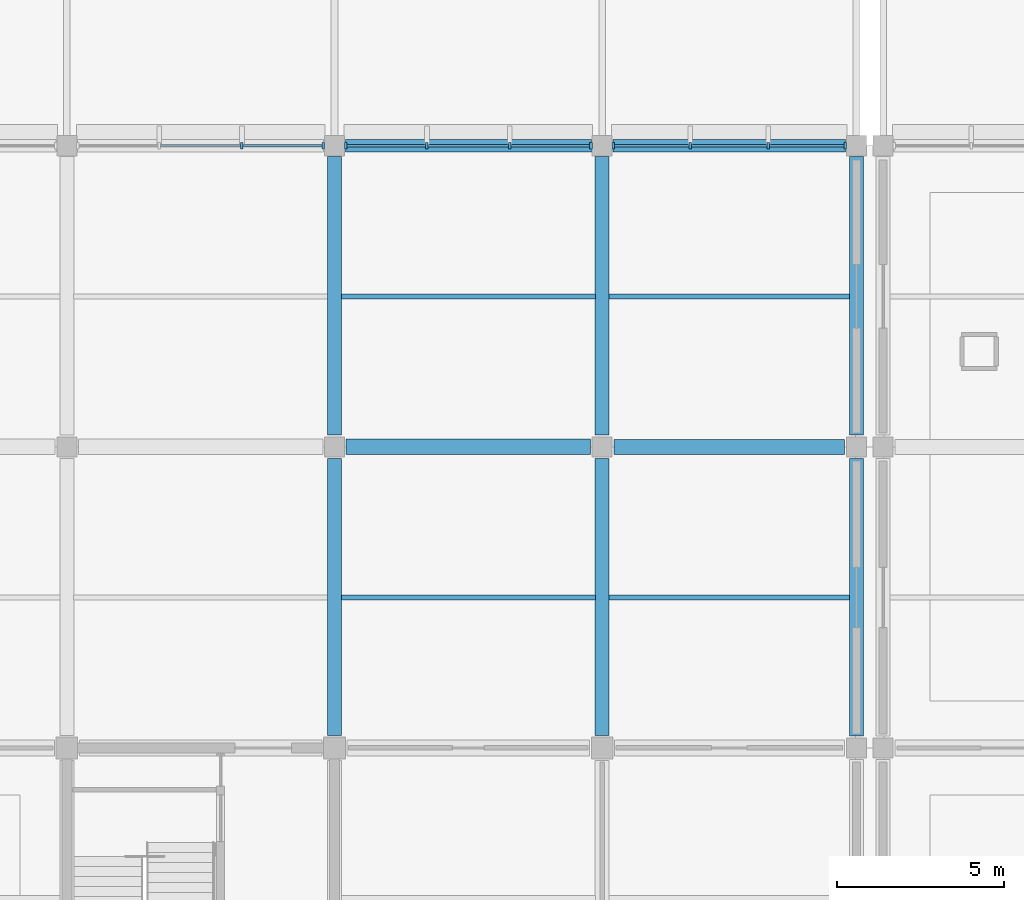
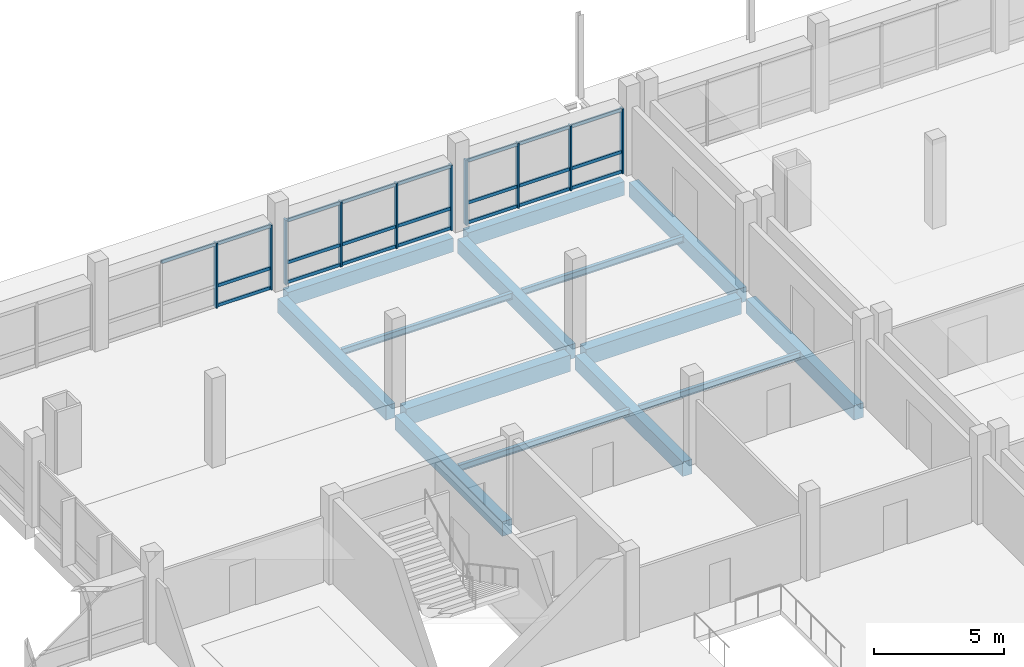
# One storey, part 16 of 57: 32 members, 14 beams, 3 elements without a shape of their own.
"""IFC4 building model written with IfcOpenShell, lengths in metres."""

from ifc_helpers import new_model, si_unit, direction, frame, origin, origin_2d, place, context, subcontext, project, spatial, rectangle, i_section, extrude, material, material_profile, profile_set, type_object, element, aggregate, save


model = new_model("IFC4")

# Units and contexts
model_context = context("Model", 3, precision=1e-05, world=origin(), true_north=direction((0.0, 1.0)))
body_context = subcontext(model_context, "Body", "Model", "MODEL_VIEW")
ifc_project = project(units=[si_unit("LENGTHUNIT", "METRE"), si_unit("AREAUNIT", "SQUARE_METRE"), si_unit("VOLUMEUNIT", "CUBIC_METRE"), si_unit("PLANEANGLEUNIT", "RADIAN"), si_unit("MASSUNIT", "GRAM", prefix="KILO"), si_unit("THERMODYNAMICTEMPERATUREUNIT", "KELVIN"), si_unit("POWERUNIT", "WATT")], contexts=[model_context])

# Site, building, storey
site_placement = place(None, origin())
site = spatial("IfcSite", under=ifc_project, at=site_placement, CompositionType="ELEMENT")
building_placement = place(site_placement, origin())
building = spatial("IfcBuilding", under=site, at=building_placement, Name="Kronsvod Quay Wholesale Market", CompositionType="ELEMENT")
storey_placement = place(building_placement, frame((0.0, 0.0, 4.800048828125)))
storey = spatial("IfcBuildingStorey", under=building, at=storey_placement, Name="L01", CompositionType="ELEMENT", Elevation=4.800048828125)

# Beams
ifc_material_1 = material(Name="Precast concrete C40/50", Category="concrete")
ifc_material_profile_1 = material_profile(ifc_material_1, rectangle(XDim=0.419921875, YDim=0.679931640625, at=origin_2d()), Name="PB-05")
ifc_profile_set_1 = profile_set([ifc_material_profile_1], Name="Precast concrete C40/50")
beam_type_1 = type_object("IfcBeamType", Name="Beam_PCB420x680", PredefinedType="BEAM", material=ifc_profile_set_1)
beam_1_placement = place(storey_placement, frame((48.0, 108.375, -0.64013671875), z_axis=(0.0, 1.0, 0.0), x_axis=(-1.0, 0.0, 0.0)))
element("IfcBeam", 1, at=beam_1_placement, inside=storey, type_object=beam_type_1, Name="BMY-L01-480-1080", PredefinedType="BEAM", context=body_context, shape_type="SweptSolid", body=[
    extrude(rectangle(XDim=0.419921875, YDim=0.679931640625, at=origin_2d()), origin(), (0.0, 0.0, 1.0), 8.27490234375),
])
beam_2_placement = place(storey_placement, frame((48.0, 117.35009765625, -0.64013671875), z_axis=(0.0, 1.0, 0.0), x_axis=(-1.0, 0.0, 0.0)))
element("IfcBeam", 2, at=beam_2_placement, inside=storey, type_object=beam_type_1, Name="BMY-L01-480-1170", PredefinedType="BEAM", context=body_context, shape_type="SweptSolid", body=[
    extrude(rectangle(XDim=0.419921875, YDim=0.679931640625, at=origin_2d()), origin(), (0.0, 0.0, 1.0), 8.324951171875),
])
beam_3_placement = place(storey_placement, frame((56.0, 108.375, -0.64013671875), z_axis=(0.0, 1.0, 0.0), x_axis=(-1.0, 0.0, 0.0)))
element("IfcBeam", 3, at=beam_3_placement, inside=storey, type_object=beam_type_1, Name="BMY-L01-560-1080", PredefinedType="BEAM", context=body_context, shape_type="SweptSolid", body=[
    extrude(rectangle(XDim=0.419921875, YDim=0.679931640625, at=origin_2d()), origin(), (0.0, 0.0, 1.0), 8.27490234375),
])
beam_4_placement = place(storey_placement, frame((56.0, 117.35009765625, -0.64013671875), z_axis=(0.0, 1.0, 0.0), x_axis=(-1.0, 0.0, 0.0)))
element("IfcBeam", 4, at=beam_4_placement, inside=storey, type_object=beam_type_1, Name="BMY-L01-560-1170", PredefinedType="BEAM", context=body_context, shape_type="SweptSolid", body=[
    extrude(rectangle(XDim=0.419921875, YDim=0.679931640625, at=origin_2d()), origin(), (0.0, 0.0, 1.0), 8.324951171875),
])
beam_5_placement = place(storey_placement, frame((63.60009765625, 108.35009765625, -0.64013671875), z_axis=(0.0, 1.0, 0.0), x_axis=(-1.0, 0.0, 0.0)))
element("IfcBeam", 5, at=beam_5_placement, inside=storey, type_object=beam_type_1, Name="BMY-L01-636-1080", PredefinedType="BEAM", context=body_context, shape_type="SweptSolid", body=[
    extrude(rectangle(XDim=0.419921875, YDim=0.679931640625, at=origin_2d()), origin(), (0.0, 0.0, 1.0), 8.2998046875),
])
beam_6_placement = place(storey_placement, frame((63.60009765625, 117.35009765625, -0.64013671875), z_axis=(0.0, 1.0, 0.0), x_axis=(-1.0, 0.0, 0.0)))
element("IfcBeam", 6, at=beam_6_placement, inside=storey, type_object=beam_type_1, Name="BMY-L01-636-1170", PredefinedType="BEAM", context=body_context, shape_type="SweptSolid", body=[
    extrude(rectangle(XDim=0.419921875, YDim=0.679931640625, at=origin_2d()), origin(), (0.0, 0.0, 1.0), 8.324951171875),
])
ifc_material_2 = material(Name="Precast concrete C40/50", Category="concrete")
ifc_material_profile_2 = material_profile(ifc_material_2, rectangle(XDim=0.449951171875, YDim=0.75, at=origin_2d()), Name="PCB450x750")
ifc_profile_set_2 = profile_set([ifc_material_profile_2], Name="Precast concrete C40/50")
beam_type_2 = type_object("IfcBeamType", Name="Beam_PCB450x750", PredefinedType="BEAM", material=ifc_profile_set_2)
beam_7_placement = place(storey_placement, frame((56.35009765625, 117.0, -0.675048828125), z_axis=(1.0, 0.0, 0.0), x_axis=(0.0, 1.0, 0.0)))
element("IfcBeam", 7, at=beam_7_placement, inside=storey, type_object=beam_type_2, Name="BMX-L01-560-1170", PredefinedType="BEAM", context=body_context, shape_type="SweptSolid", body=[
    extrude(rectangle(XDim=0.449951171875, YDim=0.75, at=origin_2d()), origin(), (0.0, 0.0, 1.0), 6.89990234375),
])
ifc_material_3 = material(Name="Precast concrete C40/50", Category="concrete")
ifc_material_profile_3 = material_profile(ifc_material_3, rectangle(XDim=0.4599609375, YDim=0.780029296875, at=origin_2d()), Name="PB-03")
ifc_profile_set_3 = profile_set([ifc_material_profile_3], Name="Precast concrete C40/50")
beam_type_3 = type_object("IfcBeamType", Name="Beam_PCB460x780", PredefinedType="BEAM", material=ifc_profile_set_3)
beam_8_placement = place(storey_placement, frame((48.35009765625, 117.0, -0.68994140625), z_axis=(1.0, 0.0, 0.0), x_axis=(0.0, 1.0, 0.0)))
element("IfcBeam", 8, at=beam_8_placement, inside=storey, type_object=beam_type_3, Name="BMX-L01-480-1170", PredefinedType="BEAM", context=body_context, shape_type="SweptSolid", body=[
    extrude(rectangle(XDim=0.4599609375, YDim=0.780029296875, at=origin_2d()), origin(), (0.0, 0.0, 1.0), 7.2998046875),
])
ifc_material_4 = material(Name="Steel S355", Category="steel")
ifc_material_profile_4 = material_profile(ifc_material_4, i_section(OverallWidth=0.14892578125, OverallDepth=0.298095703125, WebThickness=0.005615234375, FlangeThickness=0.008056640625, FilletRadius=0.012939453125, at=origin_2d()), Name="30B1")
ifc_profile_set_4 = profile_set([ifc_material_profile_4], Name="Steel S355")
beam_type_4 = type_object("IfcBeamType", Name="Joist_Steel30B1", PredefinedType="JOIST", material=ifc_profile_set_4)
for number, where, z_axis, x_axis, name in (
    (9, (48.205078125, 112.5, -0.399169921875), (1.0, 0.0, 0.0), (0.0, 1.0, 0.0), "JSTX-L01-480-1080"),
    (10, (48.205078125, 121.5, -0.399169921875), (1.0, 0.0, 0.0), (0.0, 1.0, 0.0), "JSTX-L01-480-1170"),
):
    element("IfcBeam", number, at=place(storey_placement, frame(where, z_axis=z_axis, x_axis=x_axis)), inside=storey, type_object=beam_type_4, Name=name, PredefinedType="JOIST", context=body_context, shape_type="SweptSolid", body=[
        extrude(i_section(OverallWidth=0.14892578125, OverallDepth=0.298095703125, WebThickness=0.005615234375, FlangeThickness=0.008056640625, FilletRadius=0.012939453125, at=origin_2d()), origin(), (0.0, 0.0, 1.0), 7.58984375),
    ])
for number, where, z_axis, x_axis, name in (
    (11, (56.205078125, 112.5, -0.399169921875), (1.0, 0.0, 0.0), (0.0, 1.0, 0.0), "JSTX-L01-560-1080"),
    (12, (56.205078125, 121.5, -0.399169921875), (1.0, 0.0, 0.0), (0.0, 1.0, 0.0), "JSTX-L01-560-1170"),
):
    element("IfcBeam", number, at=place(storey_placement, frame(where, z_axis=z_axis, x_axis=x_axis)), inside=storey, type_object=beam_type_4, Name=name, PredefinedType="JOIST", context=body_context, shape_type="SweptSolid", body=[
        extrude(i_section(OverallWidth=0.14892578125, OverallDepth=0.298095703125, WebThickness=0.005615234375, FlangeThickness=0.008056640625, FilletRadius=0.012939453125, at=origin_2d()), origin(), (0.0, 0.0, 1.0), 7.18994140625),
    ])

# Curtain wall, members
ifc_material_5 = material(Name="Thermally broken aluminium and triple low-E glazing", Category="aluminium")
curtain_wall_type_1 = type_object("IfcCurtainWallType", Name="CW_Harbour80x33", PredefinedType="NOTDEFINED", material=ifc_material_5)
curtain_wall_1_placement = place(storey_placement, origin())
curtain_wall_1 = element("IfcCurtainWall", 13, at=curtain_wall_1_placement, inside=storey, type_object=curtain_wall_type_1, Name="CWGX-L01-400-1260", PredefinedType="NOTDEFINED")
ifc_material_6 = material(Name="Anodised aluminium", Category="aluminium")
ifc_material_profile_5 = material_profile(ifc_material_6, rectangle(XDim=0.074951171875, YDim=0.199951171875, at=origin_2d()), Name="ALUM75x200")
ifc_profile_set_5 = profile_set([ifc_material_profile_5], Name="Anodised aluminium")
member_type_1 = type_object("IfcMemberType", Name="Mullion_ALU75x200", PredefinedType="MULLION", material=ifc_profile_set_5)
member_1_placement = place(storey_placement, frame((47.66748046875, 126.0, 0.0), z_axis=(0.0, 0.0, 1.0), x_axis=(1.0, 0.0, 0.0)))
member_1 = element("IfcMember", 14, at=member_1_placement, type_object=member_type_1, Name="CWGX-L01-400-1260-M1", PredefinedType="MULLION", context=body_context, shape_type="SweptSolid", body=[
    extrude(rectangle(XDim=0.074951171875, YDim=0.199951171875, at=origin_2d()), origin(), (0.0, 0.0, 1.0), 3.050048828125),
])
member_2_placement = place(storey_placement, frame((45.235107421875, 126.0, 0.0), z_axis=(0.0, 0.0, 1.0), x_axis=(1.0, 0.0, 0.0)))
member_2 = element("IfcMember", 15, at=member_2_placement, type_object=member_type_1, Name="CWGX-L01-400-1260-M2", PredefinedType="MULLION", context=body_context, shape_type="SweptSolid", body=[
    extrude(rectangle(XDim=0.074951171875, YDim=0.199951171875, at=origin_2d()), origin(), (0.0, 0.0, 1.0), 3.050048828125),
])

curtain_wall_2_placement = place(storey_placement, origin())
curtain_wall_2 = element("IfcCurtainWall", 16, at=curtain_wall_2_placement, inside=storey, type_object=curtain_wall_type_1, Name="CWGX-L01-480-1260", PredefinedType="NOTDEFINED")
member_3_placement = place(storey_placement, frame((55.66748046875, 126.0, 0.0), z_axis=(0.0, 0.0, 1.0), x_axis=(1.0, 0.0, 0.0)))
member_3 = element("IfcMember", 17, at=member_3_placement, type_object=member_type_1, Name="CWGX-L01-480-1260-M1", PredefinedType="MULLION", context=body_context, shape_type="SweptSolid", body=[
    extrude(rectangle(XDim=0.074951171875, YDim=0.199951171875, at=origin_2d()), origin(), (0.0, 0.0, 1.0), 3.050048828125),
])
member_4_placement = place(storey_placement, frame((53.235107421875, 126.0, 0.0), z_axis=(0.0, 0.0, 1.0), x_axis=(1.0, 0.0, 0.0)))
member_4 = element("IfcMember", 18, at=member_4_placement, type_object=member_type_1, Name="CWGX-L01-480-1260-M2", PredefinedType="MULLION", context=body_context, shape_type="SweptSolid", body=[
    extrude(rectangle(XDim=0.074951171875, YDim=0.199951171875, at=origin_2d()), origin(), (0.0, 0.0, 1.0), 3.050048828125),
])
member_5_placement = place(storey_placement, frame((50.764892578125, 126.0, 0.0), z_axis=(0.0, 0.0, 1.0), x_axis=(1.0, 0.0, 0.0)))
member_5 = element("IfcMember", 19, at=member_5_placement, type_object=member_type_1, Name="CWGX-L01-480-1260-M3", PredefinedType="MULLION", context=body_context, shape_type="SweptSolid", body=[
    extrude(rectangle(XDim=0.074951171875, YDim=0.199951171875, at=origin_2d()), origin(), (0.0, 0.0, 1.0), 3.050048828125),
])
member_6_placement = place(storey_placement, frame((48.33251953125, 126.0, 0.0), z_axis=(0.0, 0.0, 1.0), x_axis=(1.0, 0.0, 0.0)))
member_6 = element("IfcMember", 20, at=member_6_placement, type_object=member_type_1, Name="CWGX-L01-480-1260-M4", PredefinedType="MULLION", context=body_context, shape_type="SweptSolid", body=[
    extrude(rectangle(XDim=0.074951171875, YDim=0.199951171875, at=origin_2d()), origin(), (0.0, 0.0, 1.0), 3.050048828125),
])

ifc_material_7 = material(Name="Thermally broken aluminium and triple low-E glazing", Category="aluminium")
curtain_wall_type_2 = type_object("IfcCurtainWallType", Name="CW_Harbour76x33", PredefinedType="NOTDEFINED", material=ifc_material_7)
curtain_wall_3_placement = place(storey_placement, origin())
curtain_wall_3 = element("IfcCurtainWall", 21, at=curtain_wall_3_placement, inside=storey, type_object=curtain_wall_type_2, Name="CWGX-L01-560-1260", PredefinedType="NOTDEFINED")
member_7_placement = place(storey_placement, frame((63.267578125, 126.0, 0.0), z_axis=(0.0, 0.0, 1.0), x_axis=(1.0, 0.0, 0.0)))
member_7 = element("IfcMember", 22, at=member_7_placement, type_object=member_type_1, Name="CWGX-L01-560-1260-M1", PredefinedType="MULLION", context=body_context, shape_type="SweptSolid", body=[
    extrude(rectangle(XDim=0.074951171875, YDim=0.199951171875, at=origin_2d()), origin(), (0.0, 0.0, 1.0), 3.050048828125),
])
member_8_placement = place(storey_placement, frame((60.96826171875, 126.0, 0.0), z_axis=(0.0, 0.0, 1.0), x_axis=(1.0, 0.0, 0.0)))
member_8 = element("IfcMember", 23, at=member_8_placement, type_object=member_type_1, Name="CWGX-L01-560-1260-M2", PredefinedType="MULLION", context=body_context, shape_type="SweptSolid", body=[
    extrude(rectangle(XDim=0.074951171875, YDim=0.199951171875, at=origin_2d()), origin(), (0.0, 0.0, 1.0), 3.050048828125),
])
member_9_placement = place(storey_placement, frame((58.631591796875, 126.0, 0.0), z_axis=(0.0, 0.0, 1.0), x_axis=(1.0, 0.0, 0.0)))
member_9 = element("IfcMember", 24, at=member_9_placement, type_object=member_type_1, Name="CWGX-L01-560-1260-M3", PredefinedType="MULLION", context=body_context, shape_type="SweptSolid", body=[
    extrude(rectangle(XDim=0.074951171875, YDim=0.199951171875, at=origin_2d()), origin(), (0.0, 0.0, 1.0), 3.050048828125),
])
member_10_placement = place(storey_placement, frame((56.33251953125, 126.0, 0.0), z_axis=(0.0, 0.0, 1.0), x_axis=(1.0, 0.0, 0.0)))
member_10 = element("IfcMember", 25, at=member_10_placement, type_object=member_type_1, Name="CWGX-L01-560-1260-M4", PredefinedType="MULLION", context=body_context, shape_type="SweptSolid", body=[
    extrude(rectangle(XDim=0.074951171875, YDim=0.199951171875, at=origin_2d()), origin(), (0.0, 0.0, 1.0), 3.050048828125),
])

# Beams
ifc_material_8 = material(Name="Precast concrete C40/50", Category="concrete")
ifc_material_profile_6 = material_profile(ifc_material_8, rectangle(XDim=0.3798828125, YDim=0.64990234375, at=origin_2d()), Name="SPB-03")
ifc_profile_set_6 = profile_set([ifc_material_profile_6], Name="Precast concrete C40/50")
beam_type_5 = type_object("IfcBeamType", Name="Spandrel_PCSP380x650", PredefinedType="SPANDREL", material=ifc_profile_set_6)
beam_9_placement = place(storey_placement, frame((48.324951171875, 126.0, -0.625), z_axis=(1.0, 0.0, 0.0), x_axis=(0.0, 1.0, 0.0)))
element("IfcBeam", 26, at=beam_9_placement, inside=storey, type_object=beam_type_5, Name="BMX-L01-480-1260", PredefinedType="SPANDREL", context=body_context, shape_type="SweptSolid", body=[
    extrude(rectangle(XDim=0.3798828125, YDim=0.64990234375, at=origin_2d()), origin(), (0.0, 0.0, 1.0), 7.35009765625),
])
beam_10_placement = place(storey_placement, frame((56.324951171875, 126.0, -0.625), z_axis=(1.0, 0.0, 0.0), x_axis=(0.0, 1.0, 0.0)))
element("IfcBeam", 27, at=beam_10_placement, inside=storey, type_object=beam_type_5, Name="BMX-L01-560-1260", PredefinedType="SPANDREL", context=body_context, shape_type="SweptSolid", body=[
    extrude(rectangle(XDim=0.3798828125, YDim=0.64990234375, at=origin_2d()), origin(), (0.0, 0.0, 1.0), 6.949951171875),
])

# Member
ifc_material_9 = material(Name="Anodised aluminium", Category="aluminium")
ifc_material_profile_7 = material_profile(ifc_material_9, rectangle(XDim=0.074951171875, YDim=0.14990234375, at=origin_2d()), Name="ALUT75x150")
ifc_profile_set_7 = profile_set([ifc_material_profile_7], Name="Anodised aluminium")
member_type_2 = type_object("IfcMemberType", Name="Transom_ALU75x150", PredefinedType="USERDEFINED", material=ifc_profile_set_7)
member_11_placement = place(storey_placement, frame((47.6298828125, 126.0, 0.074951171875), z_axis=(-1.0, 0.0, 0.0), x_axis=(0.0, -1.0, 0.0)))
member_11 = element("IfcMember", 28, at=member_11_placement, type_object=member_type_2, Name="CWGX-L01-400-1260-T1B1", ObjectType="TRANSOM", PredefinedType="USERDEFINED", context=body_context, shape_type="SweptSolid", body=[
    extrude(rectangle(XDim=0.074951171875, YDim=0.14990234375, at=origin_2d()), origin(), (0.0, 0.0, 1.0), 2.357421875),
])

member_12_placement = place(storey_placement, frame((47.6298828125, 126.0, 1.0), z_axis=(-1.0, 0.0, 0.0), x_axis=(0.0, -1.0, 0.0)))
member_12 = element("IfcMember", 29, at=member_12_placement, type_object=member_type_2, Name="CWGX-L01-400-1260-T2B1", ObjectType="TRANSOM", PredefinedType="USERDEFINED", context=body_context, shape_type="SweptSolid", body=[
    extrude(rectangle(XDim=0.074951171875, YDim=0.14990234375, at=origin_2d()), origin(), (0.0, 0.0, 1.0), 2.357421875),
])

member_13_placement = place(storey_placement, frame((47.6298828125, 126.0, 2.974853515625), z_axis=(-1.0, 0.0, 0.0), x_axis=(0.0, -1.0, 0.0)))
member_13 = element("IfcMember", 30, at=member_13_placement, type_object=member_type_2, Name="CWGX-L01-400-1260-T3B1", ObjectType="TRANSOM", PredefinedType="USERDEFINED", context=body_context, shape_type="SweptSolid", body=[
    extrude(rectangle(XDim=0.074951171875, YDim=0.14990234375, at=origin_2d()), origin(), (0.0, 0.0, 1.0), 2.357421875),
])

member_14_placement = place(storey_placement, frame((45.197509765625, 126.0, 2.974853515625), z_axis=(-1.0, 0.0, 0.0), x_axis=(0.0, -1.0, 0.0)))
member_14 = element("IfcMember", 31, at=member_14_placement, type_object=member_type_2, Name="CWGX-L01-400-1260-T3B2", ObjectType="TRANSOM", PredefinedType="USERDEFINED", context=body_context, shape_type="SweptSolid", body=[
    extrude(rectangle(XDim=0.074951171875, YDim=0.14990234375, at=origin_2d()), origin(), (0.0, 0.0, 1.0), 2.39501953125),
])

aggregate(curtain_wall_1, [member_1, member_2, member_11, member_12, member_13, member_14])

member_15_placement = place(storey_placement, frame((55.6298828125, 126.0, 0.074951171875), z_axis=(-1.0, 0.0, 0.0), x_axis=(0.0, -1.0, 0.0)))
member_15 = element("IfcMember", 32, at=member_15_placement, type_object=member_type_2, Name="CWGX-L01-480-1260-T1B1", ObjectType="TRANSOM", PredefinedType="USERDEFINED", context=body_context, shape_type="SweptSolid", body=[
    extrude(rectangle(XDim=0.074951171875, YDim=0.14990234375, at=origin_2d()), origin(), (0.0, 0.0, 1.0), 2.357421875),
])

member_16_placement = place(storey_placement, frame((53.197509765625, 126.0, 0.074951171875), z_axis=(-1.0, 0.0, 0.0), x_axis=(0.0, -1.0, 0.0)))
member_16 = element("IfcMember", 33, at=member_16_placement, type_object=member_type_2, Name="CWGX-L01-480-1260-T1B2", ObjectType="TRANSOM", PredefinedType="USERDEFINED", context=body_context, shape_type="SweptSolid", body=[
    extrude(rectangle(XDim=0.074951171875, YDim=0.14990234375, at=origin_2d()), origin(), (0.0, 0.0, 1.0), 2.39501953125),
])

member_17_placement = place(storey_placement, frame((50.7275390625, 126.0, 0.074951171875), z_axis=(-1.0, 0.0, 0.0), x_axis=(0.0, -1.0, 0.0)))
member_17 = element("IfcMember", 34, at=member_17_placement, type_object=member_type_2, Name="CWGX-L01-480-1260-T1B3", ObjectType="TRANSOM", PredefinedType="USERDEFINED", context=body_context, shape_type="SweptSolid", body=[
    extrude(rectangle(XDim=0.074951171875, YDim=0.14990234375, at=origin_2d()), origin(), (0.0, 0.0, 1.0), 2.357421875),
])

member_18_placement = place(storey_placement, frame((55.6298828125, 126.0, 1.0), z_axis=(-1.0, 0.0, 0.0), x_axis=(0.0, -1.0, 0.0)))
member_18 = element("IfcMember", 35, at=member_18_placement, type_object=member_type_2, Name="CWGX-L01-480-1260-T2B1", ObjectType="TRANSOM", PredefinedType="USERDEFINED", context=body_context, shape_type="SweptSolid", body=[
    extrude(rectangle(XDim=0.074951171875, YDim=0.14990234375, at=origin_2d()), origin(), (0.0, 0.0, 1.0), 2.357421875),
])

member_19_placement = place(storey_placement, frame((53.197509765625, 126.0, 1.0), z_axis=(-1.0, 0.0, 0.0), x_axis=(0.0, -1.0, 0.0)))
member_19 = element("IfcMember", 36, at=member_19_placement, type_object=member_type_2, Name="CWGX-L01-480-1260-T2B2", ObjectType="TRANSOM", PredefinedType="USERDEFINED", context=body_context, shape_type="SweptSolid", body=[
    extrude(rectangle(XDim=0.074951171875, YDim=0.14990234375, at=origin_2d()), origin(), (0.0, 0.0, 1.0), 2.39501953125),
])

member_20_placement = place(storey_placement, frame((50.7275390625, 126.0, 1.0), z_axis=(-1.0, 0.0, 0.0), x_axis=(0.0, -1.0, 0.0)))
member_20 = element("IfcMember", 37, at=member_20_placement, type_object=member_type_2, Name="CWGX-L01-480-1260-T2B3", ObjectType="TRANSOM", PredefinedType="USERDEFINED", context=body_context, shape_type="SweptSolid", body=[
    extrude(rectangle(XDim=0.074951171875, YDim=0.14990234375, at=origin_2d()), origin(), (0.0, 0.0, 1.0), 2.357421875),
])

member_21_placement = place(storey_placement, frame((55.6298828125, 126.0, 2.974853515625), z_axis=(-1.0, 0.0, 0.0), x_axis=(0.0, -1.0, 0.0)))
member_21 = element("IfcMember", 38, at=member_21_placement, type_object=member_type_2, Name="CWGX-L01-480-1260-T3B1", ObjectType="TRANSOM", PredefinedType="USERDEFINED", context=body_context, shape_type="SweptSolid", body=[
    extrude(rectangle(XDim=0.074951171875, YDim=0.14990234375, at=origin_2d()), origin(), (0.0, 0.0, 1.0), 2.357421875),
])

member_22_placement = place(storey_placement, frame((53.197509765625, 126.0, 2.974853515625), z_axis=(-1.0, 0.0, 0.0), x_axis=(0.0, -1.0, 0.0)))
member_22 = element("IfcMember", 39, at=member_22_placement, type_object=member_type_2, Name="CWGX-L01-480-1260-T3B2", ObjectType="TRANSOM", PredefinedType="USERDEFINED", context=body_context, shape_type="SweptSolid", body=[
    extrude(rectangle(XDim=0.074951171875, YDim=0.14990234375, at=origin_2d()), origin(), (0.0, 0.0, 1.0), 2.39501953125),
])

member_23_placement = place(storey_placement, frame((50.7275390625, 126.0, 2.974853515625), z_axis=(-1.0, 0.0, 0.0), x_axis=(0.0, -1.0, 0.0)))
member_23 = element("IfcMember", 40, at=member_23_placement, type_object=member_type_2, Name="CWGX-L01-480-1260-T3B3", ObjectType="TRANSOM", PredefinedType="USERDEFINED", context=body_context, shape_type="SweptSolid", body=[
    extrude(rectangle(XDim=0.074951171875, YDim=0.14990234375, at=origin_2d()), origin(), (0.0, 0.0, 1.0), 2.357421875),
])

aggregate(curtain_wall_2, [member_3, member_4, member_5, member_6, member_15, member_16, member_17, member_18, member_19, member_20, member_21, member_22, member_23])

member_24_placement = place(storey_placement, frame((63.22998046875, 126.0, 0.074951171875), z_axis=(-1.0, 0.0, 0.0), x_axis=(0.0, -1.0, 0.0)))
member_24 = element("IfcMember", 41, at=member_24_placement, type_object=member_type_2, Name="CWGX-L01-560-1260-T1B1", ObjectType="TRANSOM", PredefinedType="USERDEFINED", context=body_context, shape_type="SweptSolid", body=[
    extrude(rectangle(XDim=0.074951171875, YDim=0.14990234375, at=origin_2d()), origin(), (0.0, 0.0, 1.0), 2.22412109375),
])

member_25_placement = place(storey_placement, frame((60.930908203125, 126.0, 0.074951171875), z_axis=(-1.0, 0.0, 0.0), x_axis=(0.0, -1.0, 0.0)))
member_25 = element("IfcMember", 42, at=member_25_placement, type_object=member_type_2, Name="CWGX-L01-560-1260-T1B2", ObjectType="TRANSOM", PredefinedType="USERDEFINED", context=body_context, shape_type="SweptSolid", body=[
    extrude(rectangle(XDim=0.074951171875, YDim=0.14990234375, at=origin_2d()), origin(), (0.0, 0.0, 1.0), 2.26171875),
])

member_26_placement = place(storey_placement, frame((58.59423828125, 126.0, 0.074951171875), z_axis=(-1.0, 0.0, 0.0), x_axis=(0.0, -1.0, 0.0)))
member_26 = element("IfcMember", 43, at=member_26_placement, type_object=member_type_2, Name="CWGX-L01-560-1260-T1B3", ObjectType="TRANSOM", PredefinedType="USERDEFINED", context=body_context, shape_type="SweptSolid", body=[
    extrude(rectangle(XDim=0.074951171875, YDim=0.14990234375, at=origin_2d()), origin(), (0.0, 0.0, 1.0), 2.22412109375),
])

member_27_placement = place(storey_placement, frame((63.22998046875, 126.0, 1.0), z_axis=(-1.0, 0.0, 0.0), x_axis=(0.0, -1.0, 0.0)))
member_27 = element("IfcMember", 44, at=member_27_placement, type_object=member_type_2, Name="CWGX-L01-560-1260-T2B1", ObjectType="TRANSOM", PredefinedType="USERDEFINED", context=body_context, shape_type="SweptSolid", body=[
    extrude(rectangle(XDim=0.074951171875, YDim=0.14990234375, at=origin_2d()), origin(), (0.0, 0.0, 1.0), 2.22412109375),
])

member_28_placement = place(storey_placement, frame((60.930908203125, 126.0, 1.0), z_axis=(-1.0, 0.0, 0.0), x_axis=(0.0, -1.0, 0.0)))
member_28 = element("IfcMember", 45, at=member_28_placement, type_object=member_type_2, Name="CWGX-L01-560-1260-T2B2", ObjectType="TRANSOM", PredefinedType="USERDEFINED", context=body_context, shape_type="SweptSolid", body=[
    extrude(rectangle(XDim=0.074951171875, YDim=0.14990234375, at=origin_2d()), origin(), (0.0, 0.0, 1.0), 2.26171875),
])

member_29_placement = place(storey_placement, frame((58.59423828125, 126.0, 1.0), z_axis=(-1.0, 0.0, 0.0), x_axis=(0.0, -1.0, 0.0)))
member_29 = element("IfcMember", 46, at=member_29_placement, type_object=member_type_2, Name="CWGX-L01-560-1260-T2B3", ObjectType="TRANSOM", PredefinedType="USERDEFINED", context=body_context, shape_type="SweptSolid", body=[
    extrude(rectangle(XDim=0.074951171875, YDim=0.14990234375, at=origin_2d()), origin(), (0.0, 0.0, 1.0), 2.22412109375),
])

member_30_placement = place(storey_placement, frame((63.22998046875, 126.0, 2.974853515625), z_axis=(-1.0, 0.0, 0.0), x_axis=(0.0, -1.0, 0.0)))
member_30 = element("IfcMember", 47, at=member_30_placement, type_object=member_type_2, Name="CWGX-L01-560-1260-T3B1", ObjectType="TRANSOM", PredefinedType="USERDEFINED", context=body_context, shape_type="SweptSolid", body=[
    extrude(rectangle(XDim=0.074951171875, YDim=0.14990234375, at=origin_2d()), origin(), (0.0, 0.0, 1.0), 2.22412109375),
])

member_31_placement = place(storey_placement, frame((60.930908203125, 126.0, 2.974853515625), z_axis=(-1.0, 0.0, 0.0), x_axis=(0.0, -1.0, 0.0)))
member_31 = element("IfcMember", 48, at=member_31_placement, type_object=member_type_2, Name="CWGX-L01-560-1260-T3B2", ObjectType="TRANSOM", PredefinedType="USERDEFINED", context=body_context, shape_type="SweptSolid", body=[
    extrude(rectangle(XDim=0.074951171875, YDim=0.14990234375, at=origin_2d()), origin(), (0.0, 0.0, 1.0), 2.26171875),
])

member_32_placement = place(storey_placement, frame((58.59423828125, 126.0, 2.974853515625), z_axis=(-1.0, 0.0, 0.0), x_axis=(0.0, -1.0, 0.0)))
member_32 = element("IfcMember", 49, at=member_32_placement, type_object=member_type_2, Name="CWGX-L01-560-1260-T3B3", ObjectType="TRANSOM", PredefinedType="USERDEFINED", context=body_context, shape_type="SweptSolid", body=[
    extrude(rectangle(XDim=0.074951171875, YDim=0.14990234375, at=origin_2d()), origin(), (0.0, 0.0, 1.0), 2.22412109375),
])

aggregate(curtain_wall_3, [member_7, member_8, member_9, member_10, member_24, member_25, member_26, member_27, member_28, member_29, member_30, member_31, member_32])

save(model, "model.ifc")
